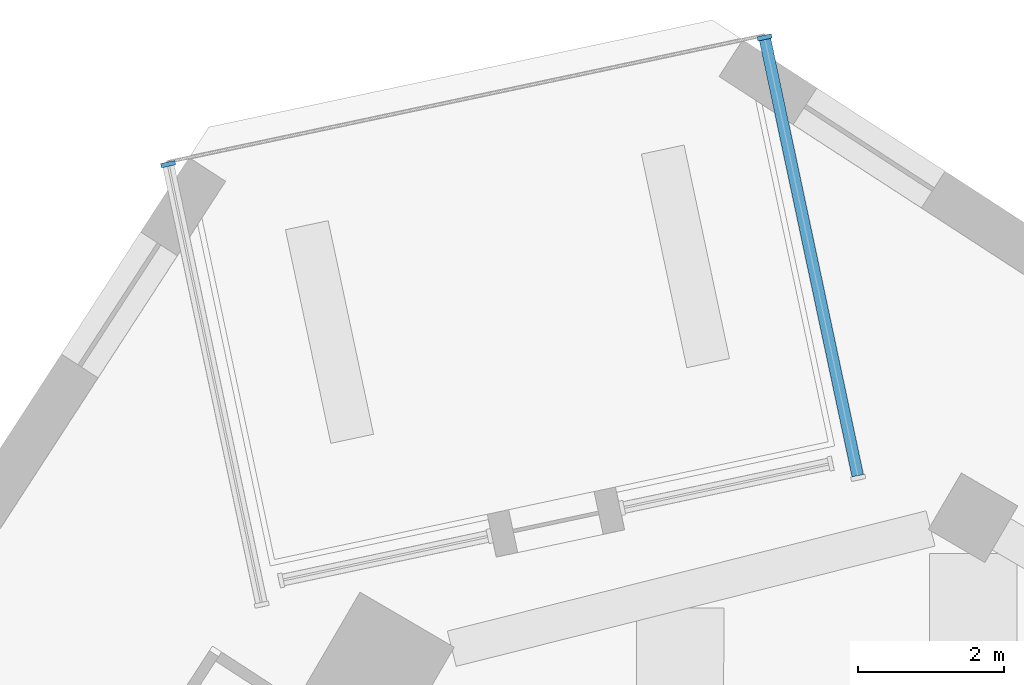
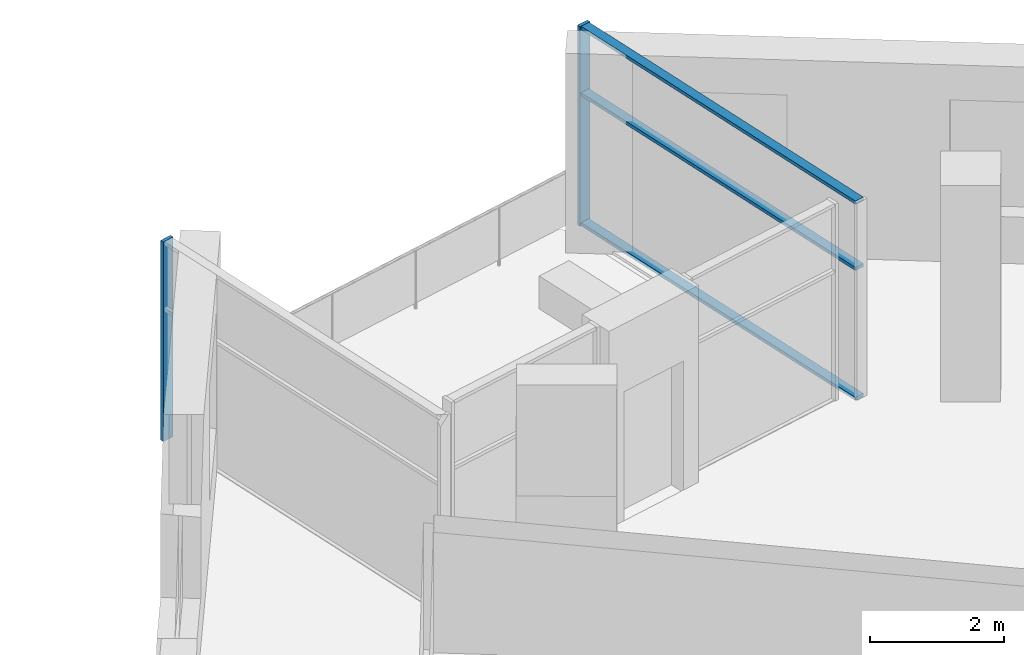
# One storey, part 4 of 12: 5 members, 2 elements without a shape of their own.
"""IFC4 building model written with IfcOpenShell, lengths in metres."""

from ifc_helpers import new_model, si_unit, direction, frame, origin, origin_2d, place, context, subcontext, project, spatial, rectangle, extrude, material, material_profile, profile_set, type_object, element, aggregate, save


model = new_model("IFC4")

# Units and contexts
model_context = context("Model", 3, precision=1e-05, world=origin(), true_north=direction((0.0, 1.0)))
body_context = subcontext(model_context, "Body", "Model", "MODEL_VIEW")
ifc_project = project(units=[si_unit("LENGTHUNIT", "METRE"), si_unit("AREAUNIT", "SQUARE_METRE"), si_unit("VOLUMEUNIT", "CUBIC_METRE"), si_unit("PLANEANGLEUNIT", "RADIAN"), si_unit("MASSUNIT", "GRAM", prefix="KILO")], contexts=[model_context])

# Site, building, storey
site_placement = place(None, origin())
site = spatial("IfcSite", under=ifc_project, at=site_placement, CompositionType="ELEMENT")
building_placement = place(site_placement, origin())
building = spatial("IfcBuilding", under=site, at=building_placement, Name="Dilmun Exchange Tower", CompositionType="ELEMENT")
storey_placement = place(building_placement, frame((0.0, 0.0, 258.89990234375)))
storey = spatial("IfcBuildingStorey", under=building, at=storey_placement, Name="L61", CompositionType="ELEMENT", Elevation=258.89990234375)

# Curtain wall, member
ifc_material_1 = material(Name="Anodised aluminium and clear glass", Category="aluminium")
curtain_wall_type = type_object("IfcCurtainWallType", Name="Garden corner glazing", PredefinedType="NOTDEFINED", material=ifc_material_1)
curtain_wall_1_placement = place(storey_placement, origin())
curtain_wall_1 = element("IfcCurtainWall", 1, at=curtain_wall_1_placement, inside=storey, type_object=curtain_wall_type, Name="Garden corner glazing run GC1.1", PredefinedType="NOTDEFINED")
ifc_material_2 = material(Name="Anodised aluminium", Category="aluminium")
ifc_material_profile_1 = material_profile(ifc_material_2, rectangle(XDim=0.199951171875, YDim=0.06005859375, at=origin_2d()), Name="AL 60x200")
ifc_profile_set_1 = profile_set([ifc_material_profile_1], Name="Anodised aluminium")
member_type_1 = type_object("IfcMemberType", Name="Garden corner glazing mullion 60 x 200", PredefinedType="MULLION", material=ifc_profile_set_1)
member_1_placement = place(storey_placement, frame((1.375, 35.10546875, 0.0), z_axis=(0.0, 0.0, 1.0), x_axis=(0.978147579121, 0.207911792498, 0.0)))
member_1 = element("IfcMember", 2, at=member_1_placement, type_object=member_type_1, Name="GC1.1 mullion 1", PredefinedType="MULLION", context=body_context, shape_type="SweptSolid", body=[
    extrude(rectangle(XDim=0.199951171875, YDim=0.06005859375, at=origin_2d()), origin(), (0.0, 0.0, 1.0), 3.64013671875),
])

curtain_wall_2_placement = place(storey_placement, origin())
curtain_wall_2 = element("IfcCurtainWall", 3, at=curtain_wall_2_placement, inside=storey, type_object=curtain_wall_type, Name="Garden corner glazing run GC3.1", PredefinedType="NOTDEFINED")
member_2_placement = place(storey_placement, frame((-6.820068359375, 33.36376953125, 0.0), z_axis=(0.0, 0.0, 1.0), x_axis=(-0.978147579121, -0.207911792498, 0.0)))
member_2 = element("IfcMember", 4, at=member_2_placement, type_object=member_type_1, Name="GC3.1 mullion 2", PredefinedType="MULLION", context=body_context, shape_type="SweptSolid", body=[
    extrude(rectangle(XDim=0.199951171875, YDim=0.06005859375, at=origin_2d()), origin(), (0.0, 0.0, 1.0), 3.64013671875),
])
aggregate(curtain_wall_2, [member_2])

# Member
ifc_material_profile_2 = material_profile(ifc_material_2, rectangle(XDim=0.159912109375, YDim=0.06005859375, at=origin_2d()), Name="AL 60x160")
ifc_profile_set_2 = profile_set([ifc_material_profile_2], Name="Anodised aluminium")
member_type_2 = type_object("IfcMemberType", Name="Garden corner glazing transom 60 x 160", PredefinedType="USERDEFINED", material=ifc_profile_set_2)
member_3_placement = place(storey_placement, frame((1.38134765625, 35.076171875, 0.030029296875), z_axis=(0.207904034352, -0.978149228134, 0.0), x_axis=(0.978149228134, 0.207904034352, 0.0)))
member_3 = element("IfcMember", 5, at=member_3_placement, type_object=member_type_2, Name="GC1.1 transom 1.1", ObjectType="TRANSOM", PredefinedType="USERDEFINED", context=body_context, shape_type="SweptSolid", body=[
    extrude(rectangle(XDim=0.159912109375, YDim=0.06005859375, at=origin_2d()), origin(), (0.0, 0.0, 1.0), 6.126220703125),
])

member_4_placement = place(storey_placement, frame((1.38134765625, 35.076171875, 2.400146484375), z_axis=(0.207904034352, -0.978149228134, 0.0), x_axis=(0.978149228134, 0.207904034352, 0.0)))
member_4 = element("IfcMember", 6, at=member_4_placement, type_object=member_type_2, Name="GC1.1 transom 1.2", ObjectType="TRANSOM", PredefinedType="USERDEFINED", context=body_context, shape_type="SweptSolid", body=[
    extrude(rectangle(XDim=0.159912109375, YDim=0.06005859375, at=origin_2d()), origin(), (0.0, 0.0, 1.0), 6.126220703125),
])

member_5_placement = place(storey_placement, frame((1.38134765625, 35.076171875, 3.610107421875), z_axis=(0.207904034352, -0.978149228134, 0.0), x_axis=(0.978149228134, 0.207904034352, 0.0)))
member_5 = element("IfcMember", 7, at=member_5_placement, type_object=member_type_2, Name="GC1.1 transom 1.3", ObjectType="TRANSOM", PredefinedType="USERDEFINED", context=body_context, shape_type="SweptSolid", body=[
    extrude(rectangle(XDim=0.159912109375, YDim=0.06005859375, at=origin_2d()), origin(), (0.0, 0.0, 1.0), 6.126220703125),
])

aggregate(curtain_wall_1, [member_1, member_3, member_4, member_5])

save(model, "model.ifc")
